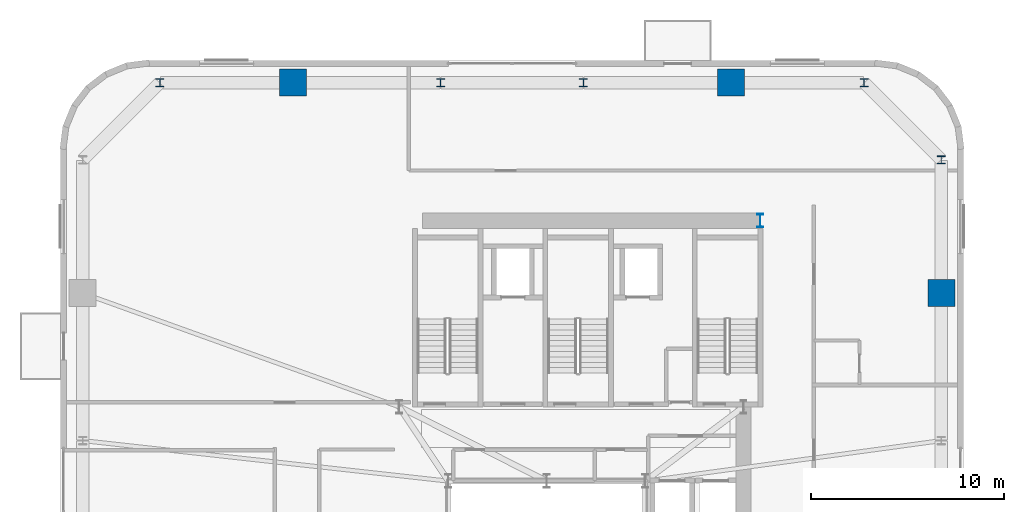
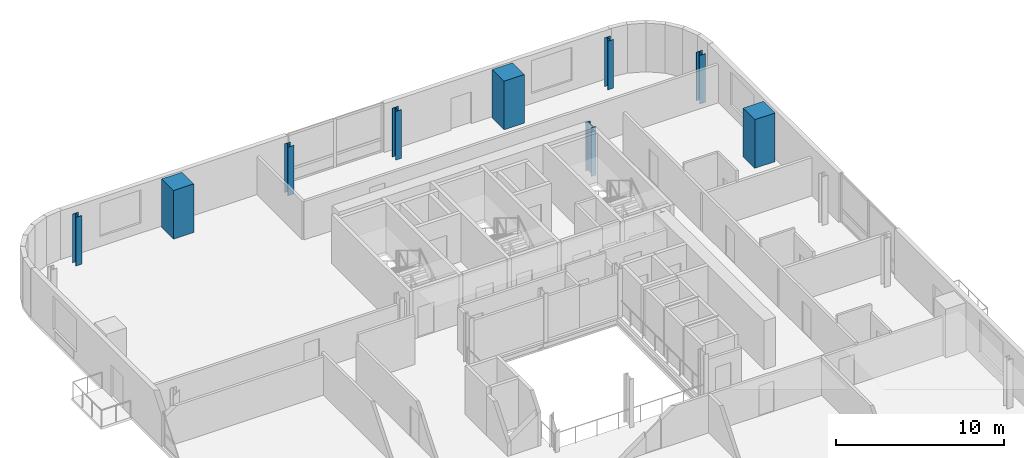
# One storey, part 2 of 16: 9 columns.
"""IFC4 building model written with IfcOpenShell, lengths in metres."""

import ifcopenshell
import ifcopenshell.guid

model = None  # the IFC model being written
_history = None  # IfcOwnerHistory: only IFC2X3 demands one
_inside = {}  # id of a spatial element -> (the spatial element, [elements in it])
_under = {}  # id of a project, library or spatial element -> (it, [spatial elements below it])
_declared = {}  # id of a project -> (the project, [libraries it declares])
_typed = {}  # id of a type object -> (the type object, [elements of that type])
_made_of = {}  # id of a material, layer set ... -> (it, [elements and type objects made of it])


def new_model(schema):
    """Start an empty IFC model of exactly this schema.

    Asked for "IFC4X3", IfcOpenShell would pick the latest addendum, in which some entities
    have other attributes; the version numbers below select the first issue.
    IFC2X3 requires an IfcOwnerHistory on every rooted entity: one is made here for all.
    """
    global model, _history
    if schema == "IFC4X3":
        model = ifcopenshell.file(schema_version=(4, 3, 0, 0))
    else:
        model = ifcopenshell.file(schema=schema)
    _inside.clear()
    _under.clear()
    _declared.clear()
    _typed.clear()
    _made_of.clear()
    _history = None
    if model.schema == "IFC2X3":
        org = make("IfcOrganization", Name="unknown")
        user = make(
            "IfcPersonAndOrganization",
            ThePerson=make("IfcPerson", FamilyName="unknown"),
            TheOrganization=org,
        )
        app = make(
            "IfcApplication",
            ApplicationDeveloper=org,
            Version="unknown",
            ApplicationFullName="unknown",
            ApplicationIdentifier="unknown",
        )
        _history = make(
            "IfcOwnerHistory",
            OwningUser=user,
            OwningApplication=app,
            ChangeAction="ADDED",
            CreationDate=0,
        )
    return model


def make(cls, **values):
    """One entity of the class cls with the attributes given. An attribute that is None is left unset."""
    return model.create_entity(
        cls, **{name: value for name, value in values.items() if value is not None}
    )


def rooted(cls, **values):
    """An entity with a GlobalId (a new one), such as an element, a storey or a relation."""
    return make(cls, GlobalId=ifcopenshell.guid.new(), OwnerHistory=_history, **values)


def si_unit(unit_type, name, prefix=None):
    """IfcSIUnit, for example si_unit("LENGTHUNIT", "METRE", prefix="MILLI")."""
    return make("IfcSIUnit", UnitType=unit_type, Prefix=prefix, Name=name)


def assignment(units):
    """IfcUnitAssignment: the units of a project."""
    return None if units is None else make("IfcUnitAssignment", Units=units)


def point(xyz):
    """IfcCartesianPoint."""
    return None if xyz is None else make("IfcCartesianPoint", Coordinates=xyz)


def direction(xyz):
    """IfcDirection."""
    return None if xyz is None else make("IfcDirection", DirectionRatios=xyz)


def frame(location, z_axis=None, x_axis=None):
    """IfcAxis2Placement3D, a coordinate frame: its origin and axes. An axis left out is left unset."""
    return make(
        "IfcAxis2Placement3D",
        Location=point(location),
        Axis=direction(z_axis),
        RefDirection=direction(x_axis),
    )


def frame_2d(location, x_axis=None):
    """IfcAxis2Placement2D, a coordinate frame in the plane: its origin and x axis."""
    return make(
        "IfcAxis2Placement2D", Location=point(location), RefDirection=direction(x_axis)
    )


def origin():
    """The frame at (0, 0, 0) with its axes left unset."""
    return frame((0.0, 0.0, 0.0))


def origin_2d():
    """The frame at (0, 0) in the plane with its x axis left unset."""
    return frame_2d((0.0, 0.0))


def place(relative_to, where):
    """IfcLocalPlacement: puts the frame where relative to a parent placement (None: the world)."""
    return make(
        "IfcLocalPlacement", PlacementRelTo=relative_to, RelativePlacement=where
    )


def context(
    kind, dimensions, precision=None, world=None, true_north=None, identifier=None
):
    """IfcGeometricRepresentationContext, for example the 3D "Model" context."""
    return make(
        "IfcGeometricRepresentationContext",
        ContextIdentifier=identifier,
        ContextType=kind,
        CoordinateSpaceDimension=dimensions,
        Precision=precision,
        WorldCoordinateSystem=world,
        TrueNorth=true_north,
    )


def subcontext(parent, identifier, kind, view, scale=None):
    """IfcGeometricRepresentationSubContext, for example "Body" below "Model"."""
    return make(
        "IfcGeometricRepresentationSubContext",
        ContextIdentifier=identifier,
        ContextType=kind,
        ParentContext=parent,
        TargetScale=scale,
        TargetView=view,
    )


def project(units=None, contexts=None):
    """IfcProject with its units and contexts."""
    return rooted(
        "IfcProject",
        Name="project",
        RepresentationContexts=contexts,
        UnitsInContext=assignment(units),
    )


def spatial(cls, under=None, at=None, **own):
    """A site, building, storey or space (cls), placed at a placement, below another one or the project."""
    s = rooted(cls, ObjectPlacement=at, **own)
    if under is not None:
        _under.setdefault(under.id(), (under, []))[1].append(s)
    return s


def profile(cls, at=None, kind="AREA", **sizes):
    """A parametric profile (cls). Its sizes go by their IFC names, for example OverallWidth=200.0."""
    return make(cls, ProfileType=kind, Position=at, **sizes)


def rectangle(**sizes):
    """IfcRectangleProfileDef."""
    return profile("IfcRectangleProfileDef", **sizes)


def i_section(**sizes):
    """IfcIShapeProfileDef."""
    return profile("IfcIShapeProfileDef", **sizes)


def extrude(swept, where, along, depth):
    """IfcExtrudedAreaSolid: the profile swept, set in the frame where, extruded along a direction by depth."""
    return make(
        "IfcExtrudedAreaSolid",
        SweptArea=swept,
        Position=where,
        ExtrudedDirection=direction(along),
        Depth=depth,
    )


def shape(context_of_items, identifier, shape_type, items):
    """IfcShapeRepresentation: the items that make up one representation, for example the "Body"."""
    return make(
        "IfcShapeRepresentation",
        ContextOfItems=context_of_items,
        RepresentationIdentifier=identifier,
        RepresentationType=shape_type,
        Items=items,
    )


def source(mapping_origin, context_of_items, identifier, shape_type, items):
    """IfcRepresentationMap: a shape defined once, which mapped items show again and again."""
    return make(
        "IfcRepresentationMap",
        MappingOrigin=mapping_origin,
        MappedRepresentation=shape(context_of_items, identifier, shape_type, items),
    )


def transform(
    local_origin,
    x_axis=None,
    y_axis=None,
    z_axis=None,
    scale=None,
    scale2=None,
    scale3=None,
    uniform=True,
):
    """IfcCartesianTransformationOperator3D, or its non-uniform kind. x_axis, y_axis, z_axis: its Axis1, 2, 3."""
    if uniform:
        return make(
            "IfcCartesianTransformationOperator3D",
            Axis1=direction(x_axis),
            Axis2=direction(y_axis),
            LocalOrigin=point(local_origin),
            Scale=scale,
            Axis3=direction(z_axis),
        )
    return make(
        "IfcCartesianTransformationOperator3DnonUniform",
        Axis1=direction(x_axis),
        Axis2=direction(y_axis),
        LocalOrigin=point(local_origin),
        Scale=scale,
        Axis3=direction(z_axis),
        Scale2=scale2,
        Scale3=scale3,
    )


def mapped(mapping_source, mapping_target):
    """IfcMappedItem: shows the shape of a source again, moved by a transform."""
    return make(
        "IfcMappedItem", MappingSource=mapping_source, MappingTarget=mapping_target
    )


def material(Name=None, Category=None):
    """IfcMaterial."""
    return make("IfcMaterial", Name=Name, Category=Category)


def material_profile(
    of_material, cross_section, Name=None, Category=None, Priority=None
):
    """IfcMaterialProfile: a cross section and its material."""
    return make(
        "IfcMaterialProfile",
        Name=Name,
        Material=of_material,
        Profile=cross_section,
        Priority=Priority,
        Category=Category,
    )


def profile_set(profiles, Name=None, composite=None):
    """IfcMaterialProfileSet."""
    return make(
        "IfcMaterialProfileSet",
        Name=Name,
        MaterialProfiles=profiles,
        CompositeProfile=composite,
    )


def made_of(thing, what):
    """Note that an element or type object is made of a material, layer set ...; save() writes the relation."""
    if what is not None:
        _made_of.setdefault(what.id(), (what, []))[1].append(thing)
    return thing


def type_object(cls, material=None, **own):
    """A type object (cls), such as IfcWallType, which elements share."""
    return made_of(rooted(cls, **own), material)


def element(
    cls,
    number,
    at=None,
    inside=None,
    cuts=None,
    type_object=None,
    material=None,
    context=None,
    identifier="Body",
    shape_type=None,
    held_by="IfcProductDefinitionShape",
    body=None,
    shapes=None,
    **own,
):
    """One element of the class cls, such as IfcWall. Its Tag is "e" and its number.

    at: its placement. inside: the storey or other place that contains it. cuts: it is an
    opening in that element (IfcRelVoidsElement). A single representation is given by context,
    identifier, shape_type and body (its items); several are given by shapes. held_by: the class
    of the entity that holds the representations. save() writes the other relations.
    """
    e = rooted(cls, Tag="e%d" % number, ObjectPlacement=at, **own)
    if body is not None:
        shapes = [shape(context, identifier, shape_type, body)]
    if shapes is not None:
        e.Representation = make(held_by, Representations=shapes)
    if inside is not None:
        _inside.setdefault(inside.id(), (inside, []))[1].append(e)
    if cuts is not None:
        rooted(
            "IfcRelVoidsElement", RelatingBuildingElement=cuts, RelatedOpeningElement=e
        )
    if type_object is not None:
        _typed.setdefault(type_object.id(), (type_object, []))[1].append(e)
    return made_of(e, material)


def aggregate(whole, parts):
    """IfcRelAggregates: a whole, such as a stair, and the parts it consists of."""
    return rooted("IfcRelAggregates", RelatingObject=whole, RelatedObjects=parts)


def save(model, path):
    """Write the relations noted so far, then the file.

    IfcRelAggregates (storeys below a building ...), IfcRelContainedInSpatialStructure (elements
    in a storey), IfcRelDefinesByType, IfcRelAssociatesMaterial and IfcRelDeclares: one each for
    every whole, place, type object, material and project.
    """
    for whole, parts in _under.values():
        aggregate(whole, parts)
    for where, things in _inside.values():
        rooted(
            "IfcRelContainedInSpatialStructure",
            RelatedElements=things,
            RelatingStructure=where,
        )
    for kind, things in _typed.values():
        rooted("IfcRelDefinesByType", RelatedObjects=things, RelatingType=kind)
    for what, things in _made_of.values():
        rooted("IfcRelAssociatesMaterial", RelatedObjects=things, RelatingMaterial=what)
    for by, libraries in _declared.values():
        rooted("IfcRelDeclares", RelatingContext=by, RelatedDefinitions=libraries)
    model.write(path)


model = new_model("IFC4")

# Units and contexts
model_context = context("Model", 3, precision=1e-05, world=origin(), true_north=direction((0.0, 1.0)))
body_context = subcontext(model_context, "Body", "Model", "MODEL_VIEW")
ifc_project = project(units=[si_unit("LENGTHUNIT", "METRE"), si_unit("AREAUNIT", "SQUARE_METRE"), si_unit("VOLUMEUNIT", "CUBIC_METRE"), si_unit("PLANEANGLEUNIT", "RADIAN"), si_unit("MASSUNIT", "GRAM", prefix="KILO")], contexts=[model_context])

# Site, building, storey
site_placement = place(None, origin())
site = spatial("IfcSite", under=ifc_project, at=site_placement, CompositionType="ELEMENT")
building_placement = place(site_placement, origin())
building = spatial("IfcBuilding", under=site, at=building_placement, Name="Vardaveli Station Tower", CompositionType="ELEMENT")
storey_placement = place(building_placement, frame((0.0, 0.0, 188.550048828125)))
storey = spatial("IfcBuildingStorey", under=building, at=storey_placement, Name="L48", CompositionType="ELEMENT", Elevation=188.550048828125)

# Columns
ifc_material_1 = material(Name="Structural steel S460M", Category="steel")
ifc_material_profile_1 = material_profile(ifc_material_1, i_section(OverallWidth=0.300048828125, OverallDepth=0.699951171875, WebThickness=0.01708984375, FlangeThickness=0.031982421875, FilletRadius=0.027099609375, at=origin_2d()), Name="HEB 700")
ifc_profile_set_1 = profile_set([ifc_material_profile_1], Name="Structural steel S460M")
column_type_1 = type_object("IfcColumnType", Name="COL-HEB700", PredefinedType="COLUMN", material=ifc_profile_set_1)
shared_shape_1 = source(origin(), body_context, "Body", "SweptSolid", [
    extrude(i_section(OverallWidth=0.300048828125, OverallDepth=0.699951171875, WebThickness=0.01708984375, FlangeThickness=0.031982421875, FilletRadius=0.027099609375, at=origin_2d()), origin(), (0.0, 0.0, 1.0), 3.530029296875),
])
column_placement = place(storey_placement, frame((47.3701171875, 40.300048828125, 0.0), z_axis=(0.0, 0.0, 1.0), x_axis=(1.0, 0.0, 0.0)))
element("IfcColumn", 1, at=column_placement, inside=storey, type_object=column_type_1, Name="COL-L48-CC3", PredefinedType="COLUMN", context=body_context, shape_type="MappedRepresentation", body=[
    mapped(shared_shape_1, transform((0.0, 0.0, 0.0), scale=1.0)),
])
ifc_material_2 = material(Name="Concrete C50/60", Category="concrete")
ifc_material_profile_2 = material_profile(ifc_material_2, rectangle(XDim=1.39990234375, YDim=1.39990234375, at=origin_2d()), Name="MC 1400x1400")
ifc_profile_set_2 = profile_set([ifc_material_profile_2], Name="Concrete C50/60")
column_type_2 = type_object("IfcColumnType", Name="COL-MC-1400", PredefinedType="COLUMN", material=ifc_profile_set_2)
shared_shape_2 = source(origin(), body_context, "Body", "SweptSolid", [
    extrude(rectangle(XDim=1.39990234375, YDim=1.39990234375, at=origin_2d()), origin(), (0.0, 0.0, 1.0), 3.530029296875),
])
for number, where, z_axis, x_axis, name in (
    (2, (56.75, 36.5400390625, 0.0), (0.0, 0.0, 1.0), (1.0, 0.0, 0.0), "COL-L48-MC4"),
    (3, (45.840087890625, 47.449951171875, 0.0), (0.0, 0.0, 1.0), (1.0, 0.0, 0.0), "COL-L48-MC5"),
    (4, (23.159912109375, 47.449951171875, 0.0), (0.0, 0.0, 1.0), (1.0, 0.0, 0.0), "COL-L48-MC6"),
):
    element("IfcColumn", number, at=place(storey_placement, frame(where, z_axis=z_axis, x_axis=x_axis)), inside=storey, type_object=column_type_2, Name=name, PredefinedType="COLUMN", context=body_context, shape_type="MappedRepresentation", body=[
        mapped(shared_shape_2, transform((0.0, 0.0, 0.0), scale=1.0)),
    ])
ifc_material_profile_3 = material_profile(ifc_material_1, i_section(OverallWidth=0.408935546875, OverallDepth=0.4169921875, WebThickness=0.021240234375, FlangeThickness=0.033203125, FilletRadius=0.014892578125, at=origin_2d()), Name="HD 400x347")
ifc_profile_set_3 = profile_set([ifc_material_profile_3], Name="Structural steel S460M")
column_type_3 = type_object("IfcColumnType", Name="COL-HD347", PredefinedType="COLUMN", material=ifc_profile_set_3)
shared_shape_3 = source(origin(), body_context, "Body", "SweptSolid", [
    extrude(i_section(OverallWidth=0.408935546875, OverallDepth=0.4169921875, WebThickness=0.021240234375, FlangeThickness=0.033203125, FilletRadius=0.014892578125, at=origin_2d()), origin(), (0.0, 0.0, 1.0), 3.530029296875),
])
for number, where, z_axis, x_axis, name in (
    (5, (56.75, 43.449951171875, 0.0), (0.0, 0.0, 1.0), (1.0, 0.0, 0.0), "COL-L48-PC08"),
    (6, (52.75, 47.449951171875, 0.0), (0.0, 0.0, 1.0), (1.0, 0.0, 0.0), "COL-L48-PC09"),
    (7, (38.199951171875, 47.449951171875, 0.0), (0.0, 0.0, 1.0), (1.0, 0.0, 0.0), "COL-L48-PC10"),
    (8, (30.800048828125, 47.449951171875, 0.0), (0.0, 0.0, 1.0), (1.0, 0.0, 0.0), "COL-L48-PC11"),
    (9, (16.25, 47.449951171875, 0.0), (0.0, 0.0, 1.0), (1.0, 0.0, 0.0), "COL-L48-PC12"),
):
    element("IfcColumn", number, at=place(storey_placement, frame(where, z_axis=z_axis, x_axis=x_axis)), inside=storey, type_object=column_type_3, Name=name, PredefinedType="COLUMN", context=body_context, shape_type="MappedRepresentation", body=[
        mapped(shared_shape_3, transform((0.0, 0.0, 0.0), scale=1.0)),
    ])

save(model, "model.ifc")
